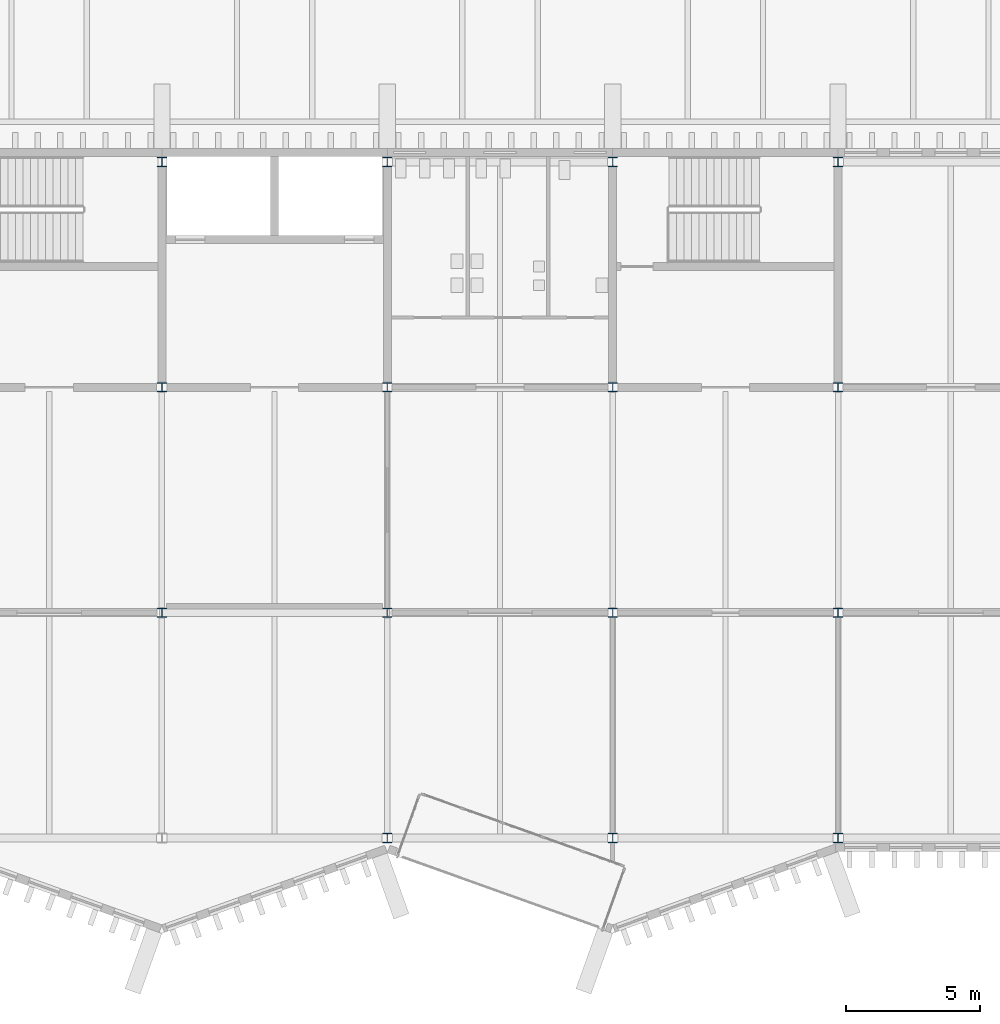
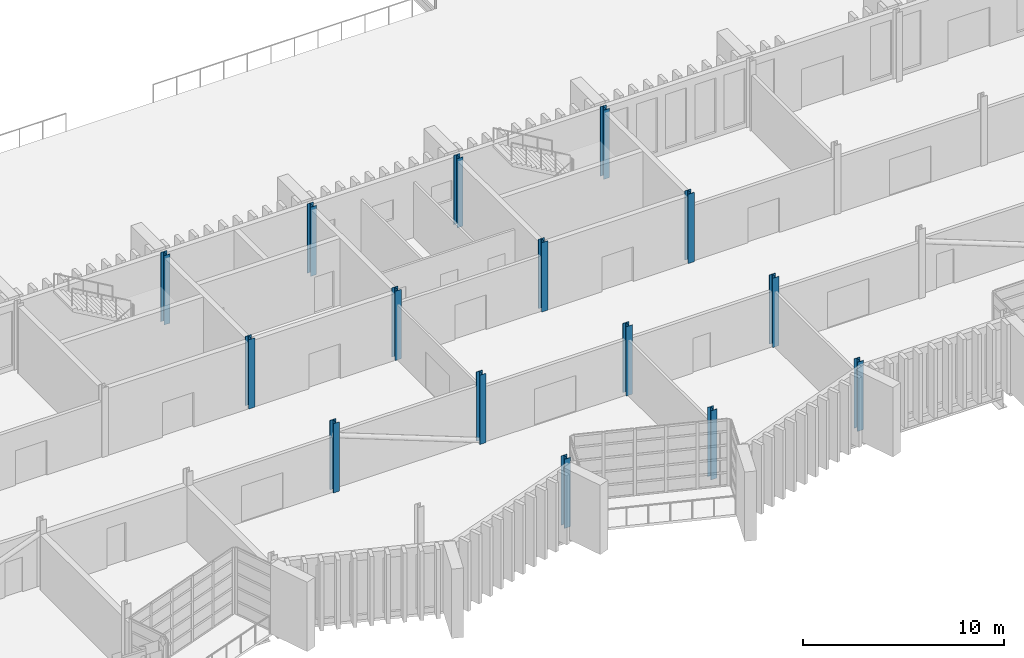
# One storey, part 2 of 96: 15 columns.
"""IFC4 building model written with IfcOpenShell, lengths in metres."""

from ifc_helpers import new_model, si_unit, direction, frame, origin, origin_2d, place, context, subcontext, project, spatial, i_section, extrude, material, material_profile, profile_set, type_object, element, save


model = new_model("IFC4")

# Units and contexts
model_context = context("Model", 3, precision=1e-05, world=origin(), true_north=direction((0.0, 1.0)))
body_context = subcontext(model_context, "Body", "Model", "MODEL_VIEW")
ifc_project = project(units=[si_unit("LENGTHUNIT", "METRE"), si_unit("AREAUNIT", "SQUARE_METRE"), si_unit("VOLUMEUNIT", "CUBIC_METRE"), si_unit("PLANEANGLEUNIT", "RADIAN"), si_unit("MASSUNIT", "GRAM", prefix="KILO")], contexts=[model_context])

# Site, building, storey
site_placement = place(None, origin())
site = spatial("IfcSite", under=ifc_project, at=site_placement, CompositionType="ELEMENT")
building_placement = place(site_placement, origin())
building = spatial("IfcBuilding", under=site, at=building_placement, Name="Cresset Court Congress Hotel", CompositionType="ELEMENT")
storey_placement = place(building_placement, frame((0.0, 0.0, 6.0)))
storey = spatial("IfcBuildingStorey", under=building, at=storey_placement, Name="L01", CompositionType="ELEMENT", Elevation=6.0)

# Columns
ifc_material = material(Name="Structural steel Q355B", Category="steel")
ifc_material_profile = material_profile(ifc_material, i_section(OverallWidth=0.35009765625, OverallDepth=0.35009765625, WebThickness=0.011962890625, FlangeThickness=0.01904296875, FilletRadius=0.012939453125, at=origin_2d()), Name="HW350x350x12x19")
ifc_profile_set = profile_set([ifc_material_profile], Name="Structural steel Q355B")
column_type = type_object("IfcColumnType", Name="Steel column HW350x350x12x19", PredefinedType="COLUMN", material=ifc_profile_set)
for number, where, z_axis, x_axis, name in (
    (1, (42.0, 8.39990234375, 0.0), (0.0, 0.0, 1.0), (1.0, 0.0, 0.0), "B.col.L01.06B"),
    (2, (42.0, 16.800048828125, 0.0), (0.0, 0.0, 1.0), (1.0, 0.0, 0.0), "B.col.L01.06C"),
    (3, (42.0, 25.199951171875, 0.0), (0.0, 0.0, 1.0), (1.0, 0.0, 0.0), "B.col.L01.06D"),
    (4, (50.39990234375, 0.0, 0.0), (0.0, 0.0, 1.0), (1.0, 0.0, 0.0), "B.col.L01.07A"),
    (5, (50.39990234375, 8.39990234375, 0.0), (0.0, 0.0, 1.0), (1.0, 0.0, 0.0), "B.col.L01.07B"),
    (6, (50.39990234375, 16.800048828125, 0.0), (0.0, 0.0, 1.0), (1.0, 0.0, 0.0), "B.col.L01.07C"),
    (7, (50.39990234375, 25.199951171875, 0.0), (0.0, 0.0, 1.0), (1.0, 0.0, 0.0), "B.col.L01.07D"),
    (8, (58.800048828125, 0.0, 0.0), (0.0, 0.0, 1.0), (1.0, 0.0, 0.0), "B.col.L01.08A"),
    (9, (58.800048828125, 8.39990234375, 0.0), (0.0, 0.0, 1.0), (1.0, 0.0, 0.0), "B.col.L01.08B"),
    (10, (58.800048828125, 16.800048828125, 0.0), (0.0, 0.0, 1.0), (1.0, 0.0, 0.0), "B.col.L01.08C"),
    (11, (58.800048828125, 25.199951171875, 0.0), (0.0, 0.0, 1.0), (1.0, 0.0, 0.0), "B.col.L01.08D"),
    (12, (67.199951171875, 0.0, 0.0), (0.0, 0.0, 1.0), (1.0, 0.0, 0.0), "B.col.L01.09A"),
    (13, (67.199951171875, 8.39990234375, 0.0), (0.0, 0.0, 1.0), (1.0, 0.0, 0.0), "B.col.L01.09B"),
    (14, (67.199951171875, 16.800048828125, 0.0), (0.0, 0.0, 1.0), (1.0, 0.0, 0.0), "B.col.L01.09C"),
    (15, (67.199951171875, 25.199951171875, 0.0), (0.0, 0.0, 1.0), (1.0, 0.0, 0.0), "B.col.L01.09D"),
):
    element("IfcColumn", number, at=place(storey_placement, frame(where, z_axis=z_axis, x_axis=x_axis)), inside=storey, type_object=column_type, Name=name, PredefinedType="COLUMN", context=body_context, shape_type="SweptSolid", body=[
        extrude(i_section(OverallWidth=0.35009765625, OverallDepth=0.35009765625, WebThickness=0.011962890625, FlangeThickness=0.01904296875, FilletRadius=0.012939453125, at=origin_2d()), origin(), (0.0, 0.0, 1.0), 4.199951171875),
    ])

save(model, "model.ifc")
